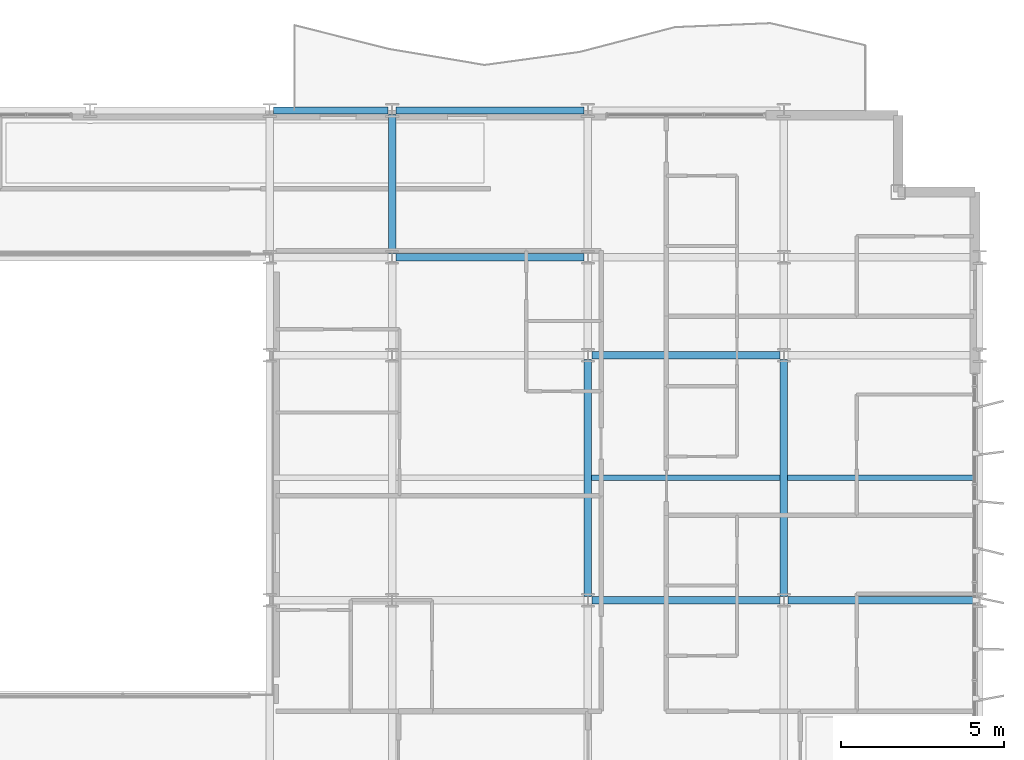
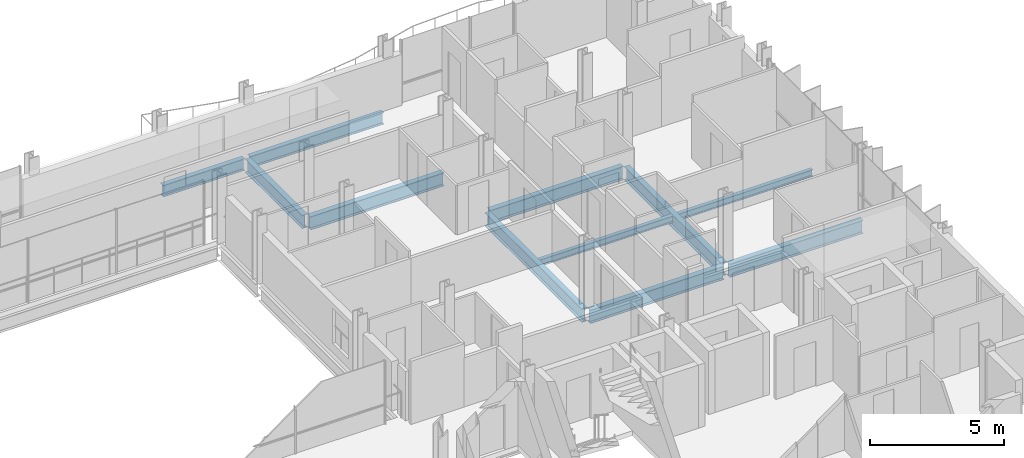
# One storey, part 18 of 39: 11 beams.
"""IFC4 building model written with IfcOpenShell, lengths in metres."""

import ifcopenshell
import ifcopenshell.guid

model = None  # the IFC model being written
_history = None  # IfcOwnerHistory: only IFC2X3 demands one
_inside = {}  # id of a spatial element -> (the spatial element, [elements in it])
_under = {}  # id of a project, library or spatial element -> (it, [spatial elements below it])
_declared = {}  # id of a project -> (the project, [libraries it declares])
_typed = {}  # id of a type object -> (the type object, [elements of that type])
_made_of = {}  # id of a material, layer set ... -> (it, [elements and type objects made of it])


def new_model(schema):
    """Start an empty IFC model of exactly this schema.

    Asked for "IFC4X3", IfcOpenShell would pick the latest addendum, in which some entities
    have other attributes; the version numbers below select the first issue.
    IFC2X3 requires an IfcOwnerHistory on every rooted entity: one is made here for all.
    """
    global model, _history
    if schema == "IFC4X3":
        model = ifcopenshell.file(schema_version=(4, 3, 0, 0))
    else:
        model = ifcopenshell.file(schema=schema)
    _inside.clear()
    _under.clear()
    _declared.clear()
    _typed.clear()
    _made_of.clear()
    _history = None
    if model.schema == "IFC2X3":
        org = make("IfcOrganization", Name="unknown")
        user = make(
            "IfcPersonAndOrganization",
            ThePerson=make("IfcPerson", FamilyName="unknown"),
            TheOrganization=org,
        )
        app = make(
            "IfcApplication",
            ApplicationDeveloper=org,
            Version="unknown",
            ApplicationFullName="unknown",
            ApplicationIdentifier="unknown",
        )
        _history = make(
            "IfcOwnerHistory",
            OwningUser=user,
            OwningApplication=app,
            ChangeAction="ADDED",
            CreationDate=0,
        )
    return model


def make(cls, **values):
    """One entity of the class cls with the attributes given. An attribute that is None is left unset."""
    return model.create_entity(
        cls, **{name: value for name, value in values.items() if value is not None}
    )


def rooted(cls, **values):
    """An entity with a GlobalId (a new one), such as an element, a storey or a relation."""
    return make(cls, GlobalId=ifcopenshell.guid.new(), OwnerHistory=_history, **values)


def si_unit(unit_type, name, prefix=None):
    """IfcSIUnit, for example si_unit("LENGTHUNIT", "METRE", prefix="MILLI")."""
    return make("IfcSIUnit", UnitType=unit_type, Prefix=prefix, Name=name)


def assignment(units):
    """IfcUnitAssignment: the units of a project."""
    return None if units is None else make("IfcUnitAssignment", Units=units)


def point(xyz):
    """IfcCartesianPoint."""
    return None if xyz is None else make("IfcCartesianPoint", Coordinates=xyz)


def direction(xyz):
    """IfcDirection."""
    return None if xyz is None else make("IfcDirection", DirectionRatios=xyz)


def frame(location, z_axis=None, x_axis=None):
    """IfcAxis2Placement3D, a coordinate frame: its origin and axes. An axis left out is left unset."""
    return make(
        "IfcAxis2Placement3D",
        Location=point(location),
        Axis=direction(z_axis),
        RefDirection=direction(x_axis),
    )


def frame_2d(location, x_axis=None):
    """IfcAxis2Placement2D, a coordinate frame in the plane: its origin and x axis."""
    return make(
        "IfcAxis2Placement2D", Location=point(location), RefDirection=direction(x_axis)
    )


def origin():
    """The frame at (0, 0, 0) with its axes left unset."""
    return frame((0.0, 0.0, 0.0))


def origin_2d():
    """The frame at (0, 0) in the plane with its x axis left unset."""
    return frame_2d((0.0, 0.0))


def place(relative_to, where):
    """IfcLocalPlacement: puts the frame where relative to a parent placement (None: the world)."""
    return make(
        "IfcLocalPlacement", PlacementRelTo=relative_to, RelativePlacement=where
    )


def context(
    kind, dimensions, precision=None, world=None, true_north=None, identifier=None
):
    """IfcGeometricRepresentationContext, for example the 3D "Model" context."""
    return make(
        "IfcGeometricRepresentationContext",
        ContextIdentifier=identifier,
        ContextType=kind,
        CoordinateSpaceDimension=dimensions,
        Precision=precision,
        WorldCoordinateSystem=world,
        TrueNorth=true_north,
    )


def subcontext(parent, identifier, kind, view, scale=None):
    """IfcGeometricRepresentationSubContext, for example "Body" below "Model"."""
    return make(
        "IfcGeometricRepresentationSubContext",
        ContextIdentifier=identifier,
        ContextType=kind,
        ParentContext=parent,
        TargetScale=scale,
        TargetView=view,
    )


def project(units=None, contexts=None):
    """IfcProject with its units and contexts."""
    return rooted(
        "IfcProject",
        Name="project",
        RepresentationContexts=contexts,
        UnitsInContext=assignment(units),
    )


def spatial(cls, under=None, at=None, **own):
    """A site, building, storey or space (cls), placed at a placement, below another one or the project."""
    s = rooted(cls, ObjectPlacement=at, **own)
    if under is not None:
        _under.setdefault(under.id(), (under, []))[1].append(s)
    return s


def profile(cls, at=None, kind="AREA", **sizes):
    """A parametric profile (cls). Its sizes go by their IFC names, for example OverallWidth=200.0."""
    return make(cls, ProfileType=kind, Position=at, **sizes)


def i_section(**sizes):
    """IfcIShapeProfileDef."""
    return profile("IfcIShapeProfileDef", **sizes)


def extrude(swept, where, along, depth):
    """IfcExtrudedAreaSolid: the profile swept, set in the frame where, extruded along a direction by depth."""
    return make(
        "IfcExtrudedAreaSolid",
        SweptArea=swept,
        Position=where,
        ExtrudedDirection=direction(along),
        Depth=depth,
    )


def shape(context_of_items, identifier, shape_type, items):
    """IfcShapeRepresentation: the items that make up one representation, for example the "Body"."""
    return make(
        "IfcShapeRepresentation",
        ContextOfItems=context_of_items,
        RepresentationIdentifier=identifier,
        RepresentationType=shape_type,
        Items=items,
    )


def material(Name=None, Category=None):
    """IfcMaterial."""
    return make("IfcMaterial", Name=Name, Category=Category)


def material_profile(
    of_material, cross_section, Name=None, Category=None, Priority=None
):
    """IfcMaterialProfile: a cross section and its material."""
    return make(
        "IfcMaterialProfile",
        Name=Name,
        Material=of_material,
        Profile=cross_section,
        Priority=Priority,
        Category=Category,
    )


def profile_set(profiles, Name=None, composite=None):
    """IfcMaterialProfileSet."""
    return make(
        "IfcMaterialProfileSet",
        Name=Name,
        MaterialProfiles=profiles,
        CompositeProfile=composite,
    )


def made_of(thing, what):
    """Note that an element or type object is made of a material, layer set ...; save() writes the relation."""
    if what is not None:
        _made_of.setdefault(what.id(), (what, []))[1].append(thing)
    return thing


def type_object(cls, material=None, **own):
    """A type object (cls), such as IfcWallType, which elements share."""
    return made_of(rooted(cls, **own), material)


def element(
    cls,
    number,
    at=None,
    inside=None,
    cuts=None,
    type_object=None,
    material=None,
    context=None,
    identifier="Body",
    shape_type=None,
    held_by="IfcProductDefinitionShape",
    body=None,
    shapes=None,
    **own,
):
    """One element of the class cls, such as IfcWall. Its Tag is "e" and its number.

    at: its placement. inside: the storey or other place that contains it. cuts: it is an
    opening in that element (IfcRelVoidsElement). A single representation is given by context,
    identifier, shape_type and body (its items); several are given by shapes. held_by: the class
    of the entity that holds the representations. save() writes the other relations.
    """
    e = rooted(cls, Tag="e%d" % number, ObjectPlacement=at, **own)
    if body is not None:
        shapes = [shape(context, identifier, shape_type, body)]
    if shapes is not None:
        e.Representation = make(held_by, Representations=shapes)
    if inside is not None:
        _inside.setdefault(inside.id(), (inside, []))[1].append(e)
    if cuts is not None:
        rooted(
            "IfcRelVoidsElement", RelatingBuildingElement=cuts, RelatedOpeningElement=e
        )
    if type_object is not None:
        _typed.setdefault(type_object.id(), (type_object, []))[1].append(e)
    return made_of(e, material)


def aggregate(whole, parts):
    """IfcRelAggregates: a whole, such as a stair, and the parts it consists of."""
    return rooted("IfcRelAggregates", RelatingObject=whole, RelatedObjects=parts)


def save(model, path):
    """Write the relations noted so far, then the file.

    IfcRelAggregates (storeys below a building ...), IfcRelContainedInSpatialStructure (elements
    in a storey), IfcRelDefinesByType, IfcRelAssociatesMaterial and IfcRelDeclares: one each for
    every whole, place, type object, material and project.
    """
    for whole, parts in _under.values():
        aggregate(whole, parts)
    for where, things in _inside.values():
        rooted(
            "IfcRelContainedInSpatialStructure",
            RelatedElements=things,
            RelatingStructure=where,
        )
    for kind, things in _typed.values():
        rooted("IfcRelDefinesByType", RelatedObjects=things, RelatingType=kind)
    for what, things in _made_of.values():
        rooted("IfcRelAssociatesMaterial", RelatedObjects=things, RelatingMaterial=what)
    for by, libraries in _declared.values():
        rooted("IfcRelDeclares", RelatingContext=by, RelatedDefinitions=libraries)
    model.write(path)


model = new_model("IFC4")

# Units and contexts
model_context = context("Model", 3, precision=1e-05, world=origin(), true_north=direction((0.0, 1.0)))
body_context = subcontext(model_context, "Body", "Model", "MODEL_VIEW")
ifc_project = project(units=[si_unit("LENGTHUNIT", "METRE"), si_unit("AREAUNIT", "SQUARE_METRE"), si_unit("VOLUMEUNIT", "CUBIC_METRE"), si_unit("PLANEANGLEUNIT", "RADIAN"), si_unit("MASSUNIT", "GRAM", prefix="KILO")], contexts=[model_context])

# Site, building, storey
site_placement = place(None, origin())
site = spatial("IfcSite", under=ifc_project, at=site_placement, CompositionType="ELEMENT")
building_placement = place(site_placement, origin())
building = spatial("IfcBuilding", under=site, at=building_placement, Name="Brevholm Reach", CompositionType="ELEMENT")
storey_placement = place(building_placement, frame((0.0, 0.0, 103.5)))
storey = spatial("IfcBuildingStorey", under=building, at=storey_placement, Name="L30", CompositionType="ELEMENT", Elevation=103.5)

# Beams
ifc_material_1 = material(Name="Structural Steel S355J2", Category="steel")
ifc_material_profile_1 = material_profile(ifc_material_1, i_section(OverallWidth=0.1650390625, OverallDepth=0.303466796875, WebThickness=0.006103515625, FlangeThickness=0.01025390625, FilletRadius=0.0087890625, at=origin_2d()), Name="UKB 305x165x40")
ifc_profile_set_1 = profile_set([ifc_material_profile_1], Name="Structural Steel S355J2")
beam_type_1 = type_object("IfcBeamType", Name="BM-B305", PredefinedType="BEAM", material=ifc_profile_set_1)
beam_1_placement = place(storey_placement, frame((48.114501953125, 19.75, -0.37158203125), z_axis=(1.0, 0.0, 0.0), x_axis=(0.0, 1.0, 0.0)))
element("IfcBeam", 1, at=beam_1_placement, inside=storey, type_object=beam_type_1, Name="L30 Composite Secondary Floor Beam", PredefinedType="BEAM", context=body_context, shape_type="SweptSolid", body=[
    extrude(i_section(OverallWidth=0.1650390625, OverallDepth=0.303466796875, WebThickness=0.006103515625, FlangeThickness=0.01025390625, FilletRadius=0.0087890625, at=origin_2d()), origin(), (0.0, 0.0, 1.0), 5.77099609375),
])
beam_2_placement = place(storey_placement, frame((54.114501953125, 19.75, -0.37158203125), z_axis=(1.0, 0.0, 0.0), x_axis=(0.0, 1.0, 0.0)))
element("IfcBeam", 2, at=beam_2_placement, inside=storey, type_object=beam_type_1, Name="L30 Composite Secondary Floor Beam", PredefinedType="BEAM", context=body_context, shape_type="SweptSolid", body=[
    extrude(i_section(OverallWidth=0.1650390625, OverallDepth=0.303466796875, WebThickness=0.006103515625, FlangeThickness=0.01025390625, FilletRadius=0.0087890625, at=origin_2d()), origin(), (0.0, 0.0, 1.0), 5.78076171875),
])
ifc_material_2 = material(Name="Structural Steel S355J2", Category="steel")
ifc_material_profile_2 = material_profile(ifc_material_2, i_section(OverallWidth=0.209228515625, OverallDepth=0.533203125, WebThickness=0.010009765625, FlangeThickness=0.015625, FilletRadius=0.0126953125, at=origin_2d()), Name="UKB 533x210x92")
ifc_profile_set_2 = profile_set([ifc_material_profile_2], Name="Structural Steel S355J2")
beam_type_2 = type_object("IfcBeamType", Name="BM-SP533", PredefinedType="SPANDREL", material=ifc_profile_set_2)
beam_3_placement = place(storey_placement, frame((38.3701171875, 31.0, -0.486572265625), z_axis=(1.0, 0.0, 0.0), x_axis=(0.0, 1.0, 0.0)))
element("IfcBeam", 3, at=beam_3_placement, inside=storey, type_object=beam_type_2, Name="L30 SP-02 Framing Beam", PredefinedType="SPANDREL", context=body_context, shape_type="SweptSolid", body=[
    extrude(i_section(OverallWidth=0.209228515625, OverallDepth=0.533203125, WebThickness=0.010009765625, FlangeThickness=0.015625, FilletRadius=0.0126953125, at=origin_2d()), origin(), (0.0, 0.0, 1.0), 3.509765625),
])
beam_4_placement = place(storey_placement, frame((42.1201171875, 31.0, -0.486572265625), z_axis=(1.0, 0.0, 0.0), x_axis=(0.0, 1.0, 0.0)))
element("IfcBeam", 4, at=beam_4_placement, inside=storey, type_object=beam_type_2, Name="L30 SP-02 Framing Beam", PredefinedType="SPANDREL", context=body_context, shape_type="SweptSolid", body=[
    extrude(i_section(OverallWidth=0.209228515625, OverallDepth=0.533203125, WebThickness=0.010009765625, FlangeThickness=0.015625, FilletRadius=0.0126953125, at=origin_2d()), origin(), (0.0, 0.0, 1.0), 5.759765625),
])
ifc_material_3 = material(Name="Structural Steel S355J2", Category="steel")
ifc_material_profile_3 = material_profile(ifc_material_3, i_section(OverallWidth=0.22900390625, OverallDepth=0.6123046875, WebThickness=0.011962890625, FlangeThickness=0.01953125, FilletRadius=0.0126953125, at=origin_2d()), Name="UKB 610x229x125")
ifc_profile_set_3 = profile_set([ifc_material_profile_3], Name="Structural Steel S355J2")
beam_type_3 = type_object("IfcBeamType", Name="BM-SP610", PredefinedType="SPANDREL", material=ifc_profile_set_3)
for number, where, z_axis, x_axis, name in (
    (5, (48.1201171875, 16.0, -0.526123046875), (1.0, 0.0, 0.0), (0.0, 1.0, 0.0), "L30 SP-01 Framing Beam"),
    (6, (54.1201171875, 16.0, -0.526123046875), (1.0, 0.0, 0.0), (0.0, 1.0, 0.0), "L30 SP-01 Framing Beam"),
    (7, (48.1201171875, 23.5, -0.526123046875), (1.0, 0.0, 0.0), (0.0, 1.0, 0.0), "L30 SP-01 Framing Beam"),
    (8, (42.1201171875, 26.5, -0.526123046875), (1.0, 0.0, 0.0), (0.0, 1.0, 0.0), "L30 SP-01 Framing Beam"),
):
    element("IfcBeam", number, at=place(storey_placement, frame(where, z_axis=z_axis, x_axis=x_axis)), inside=storey, type_object=beam_type_3, Name=name, PredefinedType="SPANDREL", context=body_context, shape_type="SweptSolid", body=[
        extrude(i_section(OverallWidth=0.22900390625, OverallDepth=0.6123046875, WebThickness=0.011962890625, FlangeThickness=0.01953125, FilletRadius=0.0126953125, at=origin_2d()), origin(), (0.0, 0.0, 1.0), 5.759765625),
    ])
beam_5_placement = place(storey_placement, frame((42.0, 26.6201171875, -0.526123046875), z_axis=(0.0, 1.0, 0.0), x_axis=(-1.0, 0.0, 0.0)))
element("IfcBeam", 9, at=beam_5_placement, inside=storey, type_object=beam_type_3, Name="L30 SP-01 Framing Beam", PredefinedType="SPANDREL", context=body_context, shape_type="SweptSolid", body=[
    extrude(i_section(OverallWidth=0.22900390625, OverallDepth=0.6123046875, WebThickness=0.011962890625, FlangeThickness=0.01953125, FilletRadius=0.0126953125, at=origin_2d()), origin(), (0.0, 0.0, 1.0), 4.259765625),
])
for number, where, z_axis, x_axis, name in (
    (10, (48.0, 16.1201171875, -0.526123046875), (0.0, 1.0, 0.0), (-1.0, 0.0, 0.0), "L30 SP-01 Framing Beam"),
    (11, (54.0, 16.1201171875, -0.526123046875), (0.0, 1.0, 0.0), (-1.0, 0.0, 0.0), "L30 SP-01 Framing Beam"),
):
    element("IfcBeam", number, at=place(storey_placement, frame(where, z_axis=z_axis, x_axis=x_axis)), inside=storey, type_object=beam_type_3, Name=name, PredefinedType="SPANDREL", context=body_context, shape_type="SweptSolid", body=[
        extrude(i_section(OverallWidth=0.22900390625, OverallDepth=0.6123046875, WebThickness=0.011962890625, FlangeThickness=0.01953125, FilletRadius=0.0126953125, at=origin_2d()), origin(), (0.0, 0.0, 1.0), 7.259765625),
    ])

save(model, "model.ifc")
